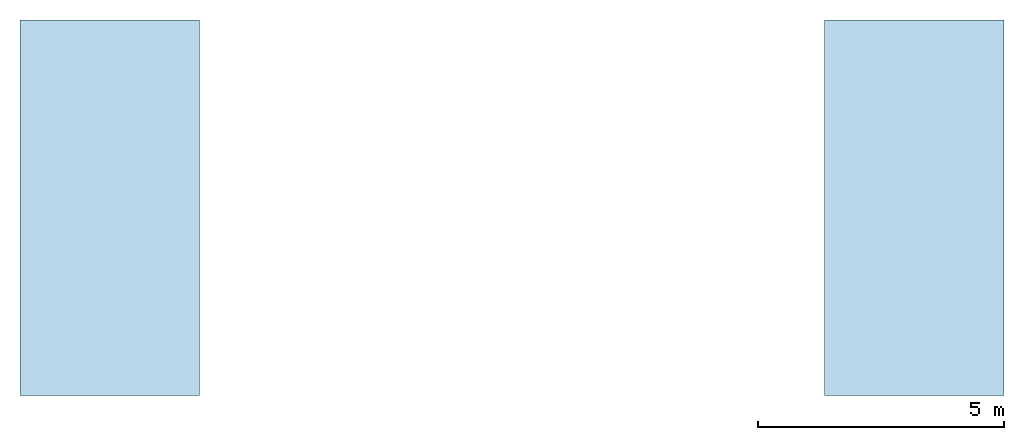
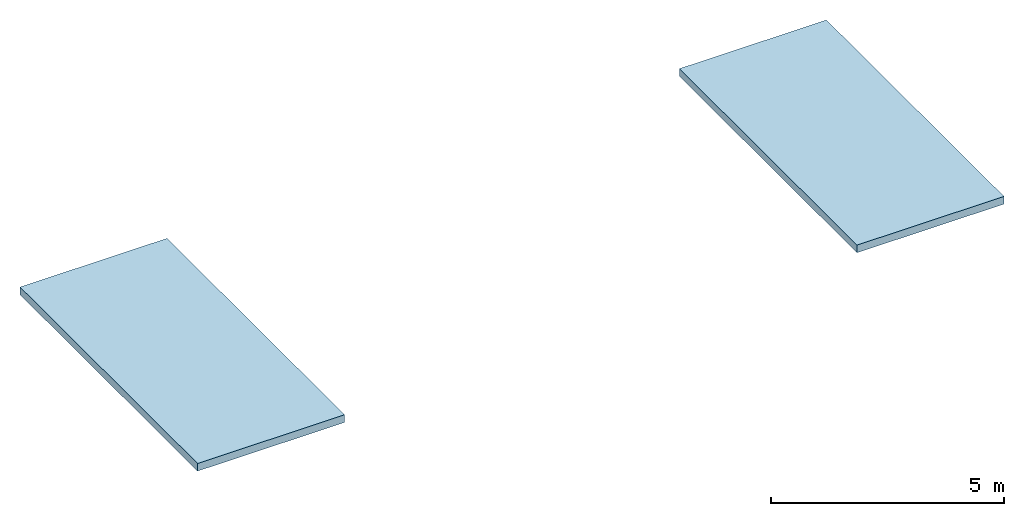
# One storey: 2 slabs.
"""IFC4 building model written with IfcOpenShell, lengths in metres."""

from ifc_helpers import new_model, si_unit, direction, frame, origin, place, context, subcontext, project, spatial, polyline, outline, extrude, material, layer, layer_set, type_object, element, save


model = new_model("IFC4")

# Units and contexts
model_context = context("Model", 3, precision=1e-05, world=origin(), true_north=direction((0.0, 1.0)))
body_context = subcontext(model_context, "Body", "Model", "MODEL_VIEW")
ifc_project = project(units=[si_unit("LENGTHUNIT", "METRE"), si_unit("AREAUNIT", "SQUARE_METRE"), si_unit("VOLUMEUNIT", "CUBIC_METRE"), si_unit("PLANEANGLEUNIT", "RADIAN"), si_unit("MASSUNIT", "GRAM", prefix="KILO")], contexts=[model_context])

# Site, building, storey
site_placement = place(None, origin())
site = spatial("IfcSite", under=ifc_project, at=site_placement, CompositionType="ELEMENT")
building_placement = place(site_placement, origin())
building = spatial("IfcBuilding", under=site, at=building_placement, Name="Kasaneha Research Tower", CompositionType="ELEMENT")
storey_placement = place(building_placement, frame((0.0, 0.0, 309.949951171875)))
storey = spatial("IfcBuildingStorey", under=building, at=storey_placement, Name="ROOF", CompositionType="ELEMENT", Elevation=309.949951171875)

# Slabs
ifc_material = material(Name="Concrete Fc36", Category="concrete")
ifc_layer = layer(ifc_material, 0.199951171875)
ifc_layer_set = layer_set([ifc_layer], Name="Head-house roof slab 200")
slab_type = type_object("IfcSlabType", Name="Head-house roof slab 200", PredefinedType="ROOF", material=ifc_layer_set)
slab_1_placement = place(storey_placement, frame((0.0, 0.0, -0.199951171875)))
element("IfcSlab", 1, at=slab_1_placement, inside=storey, type_object=slab_type, Name="Stair 1 head-house roof", PredefinedType="ROOF", context=body_context, shape_type="SweptSolid", body=[
    extrude(outline(polyline([(9.993896484375, -3.812255859375), (6.35009765625, -3.812255859375), (6.35009765625, 3.812255859375), (9.993896484375, 3.812255859375), (9.993896484375, -3.812255859375)])), origin(), (0.0, 0.0, 1.0), 0.199951171875),
])
slab_2_placement = place(storey_placement, frame((0.0, 0.0, -0.199951171875)))
element("IfcSlab", 2, at=slab_2_placement, inside=storey, type_object=slab_type, Name="Stair 2 head-house roof", PredefinedType="ROOF", context=body_context, shape_type="SweptSolid", body=[
    extrude(outline(polyline([(-9.993896484375, -3.812255859375), (-6.35009765625, -3.812255859375), (-6.35009765625, 3.812255859375), (-9.993896484375, 3.812255859375), (-9.993896484375, -3.812255859375)])), origin(), (0.0, 0.0, 1.0), 0.199951171875),
])

save(model, "model.ifc")
